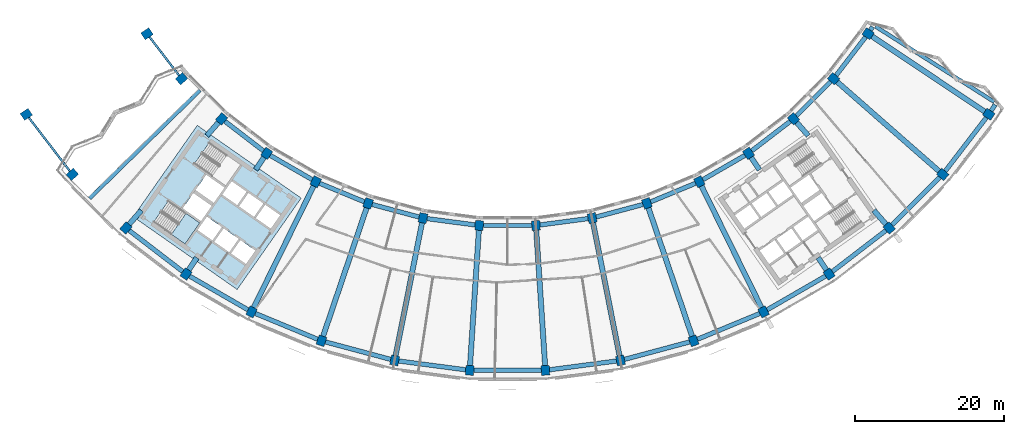
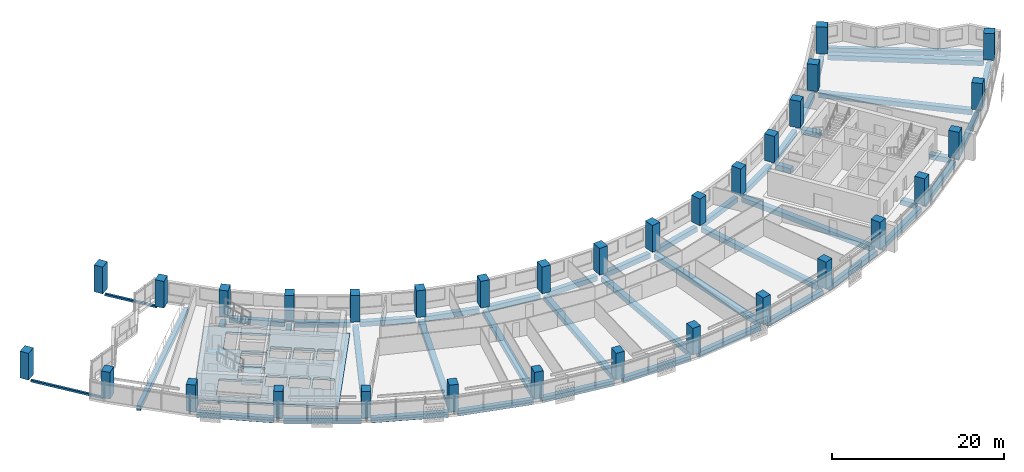
# One storey, part 1 of 27: 48 beams, 32 columns, 2 members, 2 slabs, 1 element without a shape of its own.
"""IFC4 building model written with IfcOpenShell, lengths in metres."""

from ifc_helpers import new_model, si_unit, direction, frame, origin, origin_2d, place, context, subcontext, project, spatial, polyline, rectangle, hollow_rectangle, outline, extrude, material, layer, layer_set, material_profile, profile_set, type_object, element, aggregate, save


model = new_model("IFC4")

# Units and contexts
model_context = context("Model", 3, precision=1e-05, world=origin(), true_north=direction((0.0, 1.0)))
body_context = subcontext(model_context, "Body", "Model", "MODEL_VIEW")
ifc_project = project(units=[si_unit("LENGTHUNIT", "METRE"), si_unit("AREAUNIT", "SQUARE_METRE"), si_unit("VOLUMEUNIT", "CUBIC_METRE"), si_unit("PLANEANGLEUNIT", "RADIAN"), si_unit("MASSUNIT", "GRAM", prefix="KILO")], contexts=[model_context])

# Site, building, storey
site_placement = place(None, origin())
site = spatial("IfcSite", under=ifc_project, at=site_placement, CompositionType="ELEMENT")
building_placement = place(site_placement, origin())
building = spatial("IfcBuilding", under=site, at=building_placement, Name="Qamariyya Broadcast Tower", CompositionType="ELEMENT")
storey_placement = place(building_placement, frame((0.0, 0.0, 153.10009765625)))
storey = spatial("IfcBuildingStorey", under=building, at=storey_placement, Name="L35", CompositionType="ELEMENT", Elevation=153.10009765625)

# Columns
ifc_material_1 = material(Name="Concrete C60/75", Category="concrete")
ifc_material_profile_1 = material_profile(ifc_material_1, rectangle(XDim=1.10009765625, YDim=1.300048828125, at=origin_2d()))
ifc_profile_set_1 = profile_set([ifc_material_profile_1], Name="Concrete C60/75")
column_type = type_object("IfcColumnType", Name="RC column 1100 x 1300 C60/75", PredefinedType="COLUMN", material=ifc_profile_set_1)
for number, where, z_axis, x_axis, name in (
    (1, (-43.794677734375, -38.406982421875, 0.0), (0.0, 0.0, 1.0), (0.6593458151, -0.751839807479, 0.0), "Column C8 L35 B-R04"),
    (2, (-58.45556640625, -51.26416015625, 0.0), (0.0, 0.0, 1.0), (0.6593458151, -0.751839807479, 0.0), "Column C8 L35 C-R04"),
    (3, (-38.406982421875, -43.794677734375, 0.0), (0.0, 0.0, 1.0), (0.751839807479, -0.6593458151, 0.0), "Column C8 L35 B-R05"),
    (4, (-51.26416015625, -58.45556640625, 0.0), (0.0, 0.0, 1.0), (0.751839807479, -0.6593458151, 0.0), "Column C8 L35 C-R05"),
    (5, (-32.362060546875, -48.43310546875, 0.0), (0.0, 0.0, 1.0), (0.831469612303, -0.55557023302, 0.0), "Column C8 L35 B-R06"),
    (6, (-43.195556640625, -64.646728515625, 0.0), (0.0, 0.0, 1.0), (0.831469612303, -0.55557023302, 0.0), "Column C8 L35 C-R06"),
    (7, (-25.763427734375, -52.242919921875, 0.0), (0.0, 0.0, 1.0), (0.896872741533, -0.442288690219, 0.0), "Column C8 L35 B-R07"),
    (8, (-34.387939453125, -69.73193359375, 0.0), (0.0, 0.0, 1.0), (0.896872741533, -0.442288690219, 0.0), "Column C8 L35 C-R07"),
    (9, (-18.723876953125, -55.15869140625, 0.0), (0.0, 0.0, 1.0), (0.946930129495, -0.321439465303, 0.0), "Column C8 L35 B-R08"),
    (10, (-24.991943359375, -73.623779296875, 0.0), (0.0, 0.0, 1.0), (0.946930129495, -0.321439465303, 0.0), "Column C8 L35 C-R08"),
    (11, (-11.364013671875, -57.130859375, 0.0), (0.0, 0.0, 1.0), (0.980785280403, -0.195090322016, 0.0), "Column C8 L35 B-R09"),
    (12, (-15.168212890625, -76.256103515625, 0.0), (0.0, 0.0, 1.0), (0.980785280403, -0.195090322016, 0.0), "Column C8 L35 C-R09"),
    (13, (-3.809814453125, -58.125244140625, 0.0), (0.0, 0.0, 1.0), (0.997858923239, -0.06540312923, 0.0), "Column C8 L35 B-R10"),
    (14, (-5.085205078125, -77.58349609375, 0.0), (0.0, 0.0, 1.0), (0.997858923239, -0.06540312923, 0.0), "Column C8 L35 C-R10"),
    (15, (3.809814453125, -58.125244140625, 0.0), (0.0, 0.0, 1.0), (0.997858923239, 0.06540312923, 0.0), "Column C8 L35 B-R11"),
    (16, (5.085205078125, -77.58349609375, 0.0), (0.0, 0.0, 1.0), (0.997858923239, 0.06540312923, 0.0), "Column C8 L35 C-R11"),
    (17, (11.364013671875, -57.130859375, 0.0), (0.0, 0.0, 1.0), (0.980785280403, 0.195090322016, 0.0), "Column C8 L35 B-R12"),
    (18, (15.168212890625, -76.256103515625, 0.0), (0.0, 0.0, 1.0), (0.980785280403, 0.195090322016, 0.0), "Column C8 L35 C-R12"),
    (19, (18.723876953125, -55.15869140625, 0.0), (0.0, 0.0, 1.0), (0.946930129495, 0.321439465303, 0.0), "Column C8 L35 B-R13"),
    (20, (24.991943359375, -73.623779296875, 0.0), (0.0, 0.0, 1.0), (0.946930129495, 0.321439465303, 0.0), "Column C8 L35 C-R13"),
    (21, (25.763427734375, -52.242919921875, 0.0), (0.0, 0.0, 1.0), (0.896872741533, 0.442288690219, 0.0), "Column C8 L35 B-R14"),
    (22, (34.387939453125, -69.73193359375, 0.0), (0.0, 0.0, 1.0), (0.896872741533, 0.442288690219, 0.0), "Column C8 L35 C-R14"),
    (23, (32.362060546875, -48.43310546875, 0.0), (0.0, 0.0, 1.0), (0.831469612303, 0.55557023302, 0.0), "Column C8 L35 B-R15"),
    (24, (43.195556640625, -64.646728515625, 0.0), (0.0, 0.0, 1.0), (0.831469612303, 0.55557023302, 0.0), "Column C8 L35 C-R15"),
    (25, (38.406982421875, -43.794677734375, 0.0), (0.0, 0.0, 1.0), (0.751839807479, 0.6593458151, 0.0), "Column C8 L35 B-R16"),
    (26, (51.26416015625, -58.45556640625, 0.0), (0.0, 0.0, 1.0), (0.751839807479, 0.6593458151, 0.0), "Column C8 L35 C-R16"),
    (27, (43.794677734375, -38.406982421875, 0.0), (0.0, 0.0, 1.0), (0.6593458151, 0.751839807479, 0.0), "Column C8 L35 B-R17"),
    (28, (58.45556640625, -51.26416015625, 0.0), (0.0, 0.0, 1.0), (0.6593458151, 0.751839807479, 0.0), "Column C8 L35 C-R17"),
    (29, (48.43310546875, -32.362060546875, 0.0), (0.0, 0.0, 1.0), (0.55557023302, 0.831469612303, 0.0), "Column C8 L35 B-R18"),
    (30, (64.646728515625, -43.195556640625, 0.0), (0.0, 0.0, 1.0), (0.55557023302, 0.831469612303, 0.0), "Column C8 L35 C-R18"),
    (31, (-48.43310546875, -32.362060546875, 0.0), (0.0, 0.0, 1.0), (0.55557023302, -0.831469612303, 0.0), "Column C8 L35 B-R03"),
    (32, (-64.646728515625, -43.195556640625, 0.0), (0.0, 0.0, 1.0), (0.55557023302, -0.831469612303, 0.0), "Column C8 L35 C-R03"),
):
    element("IfcColumn", number, at=place(storey_placement, frame(where, z_axis=z_axis, x_axis=x_axis)), inside=storey, type_object=column_type, Name=name, PredefinedType="COLUMN", context=body_context, shape_type="SweptSolid", body=[
        extrude(rectangle(XDim=1.10009765625, YDim=1.300048828125, at=origin_2d()), origin(), (0.0, 0.0, 1.0), 3.7998046875),
    ])

# Members
ifc_material_2 = material(Name="Steel S355", Category="steel")
ifc_material_profile_2 = material_profile(ifc_material_2, hollow_rectangle(XDim=0.300048828125, YDim=0.300048828125, WallThickness=0.012451171875, InnerFilletRadius=0.012451171875, OuterFilletRadius=0.02490234375, at=origin_2d()))
ifc_profile_set_2 = profile_set([ifc_material_profile_2], Name="Steel S355")
member_type = type_object("IfcMemberType", Name="Pylon tie RHS 300x300x12.5", PredefinedType="STRUT", material=ifc_profile_set_2)
member_1_placement = place(storey_placement, frame((-44.130126953125, -37.9697265625, -0.4501953125), z_axis=(-0.608774374473, 0.793343406719, 0.0), x_axis=(-0.793343406719, -0.608774374473, 0.0)))
element("IfcMember", 33, at=member_1_placement, inside=storey, type_object=member_type, Name="Pylon tie T1 L35 B-R03", PredefinedType="STRUT", context=body_context, shape_type="SweptSolid", body=[
    extrude(hollow_rectangle(XDim=0.300048828125, YDim=0.300048828125, WallThickness=0.012451171875, InnerFilletRadius=0.012451171875, OuterFilletRadius=0.02490234375, at=origin_2d()), origin(), (0.0, 0.0, 1.0), 6.517333984375),
])
member_2_placement = place(storey_placement, frame((-58.791015625, -50.826904296875, -0.4501953125), z_axis=(-0.608764405458, 0.793351056372, 0.0), x_axis=(-0.793351056372, -0.608764405458, 0.0)))
element("IfcMember", 34, at=member_2_placement, inside=storey, type_object=member_type, Name="Pylon tie T1 L35 C-R03", PredefinedType="STRUT", context=body_context, shape_type="SweptSolid", body=[
    extrude(hollow_rectangle(XDim=0.300048828125, YDim=0.300048828125, WallThickness=0.012451171875, InnerFilletRadius=0.012451171875, OuterFilletRadius=0.02490234375, at=origin_2d()), origin(), (0.0, 0.0, 1.0), 9.06787109375),
])

# Beams
ifc_material_3 = material(Name="Concrete C40/50", Category="concrete")
ifc_material_profile_3 = material_profile(ifc_material_3, rectangle(XDim=0.60009765625, YDim=0.699951171875, at=origin_2d()))
ifc_profile_set_3 = profile_set([ifc_material_profile_3], Name="Concrete C40/50")
beam_type_1 = type_object("IfcBeamType", Name="RC edge beam 600 x 700 C40/50", PredefinedType="SPANDREL", material=ifc_profile_set_3)
beam_1_placement = place(storey_placement, frame((-37.9697265625, -44.130126953125, -0.650146484375), z_axis=(0.793343406719, -0.608774374473, 0.0), x_axis=(0.608774374473, 0.793343406719, 0.0)))
element("IfcBeam", 35, at=beam_1_placement, inside=storey, type_object=beam_type_1, Name="Edge beam B20 L35 B R05-R06", PredefinedType="SPANDREL", context=body_context, shape_type="SweptSolid", body=[
    extrude(rectangle(XDim=0.60009765625, YDim=0.699951171875, at=origin_2d()), origin(), (0.0, 0.0, 1.0), 6.517333984375),
])
beam_2_placement = place(storey_placement, frame((-31.884521484375, -48.708740234375, -0.650146484375), z_axis=(0.866019015165, -0.500011065251, 0.0), x_axis=(0.500011065251, 0.866019015165, 0.0)))
element("IfcBeam", 36, at=beam_2_placement, inside=storey, type_object=beam_type_1, Name="Edge beam B20 L35 B R06-R07", PredefinedType="SPANDREL", context=body_context, shape_type="SweptSolid", body=[
    extrude(rectangle(XDim=0.60009765625, YDim=0.699951171875, at=origin_2d()), origin(), (0.0, 0.0, 1.0), 6.516845703125),
])
for number, where, z_axis, x_axis, name in (
    (37, (-25.254150390625, -52.453857421875, -0.650146484375), (0.923883967792, -0.382672724475, 0.0), (0.382672724475, 0.923883967792, 0.0), "Edge beam B20 L35 B R07-R08"),
    (38, (-18.19140625, -55.30126953125, -0.650146484375), (0.965923971679, -0.258825966504, 0.0), (0.258825966504, 0.965923971679, 0.0), "Edge beam B20 L35 B R08-R09"),
    (39, (-10.817626953125, -57.20263671875, -0.650146484375), (0.991446388377, -0.130514592953, 0.0), (0.130514592953, 0.991446388377, 0.0), "Edge beam B20 L35 B R09-R10"),
    (40, (-3.258544921875, -58.125244140625, -0.650146484375), (1.0, 0.0, 0.0), (0.0, 1.0, 0.0), "Edge beam B20 L35 B R10-R11"),
    (41, (4.356201171875, -58.05322265625, -0.650146484375), (0.991446388377, 0.130514592953, 0.0), (-0.130514592953, 0.991446388377, 0.0), "Edge beam B20 L35 B R11-R12"),
    (42, (11.896484375, -56.988037109375, -0.650146484375), (0.965923971679, 0.258825966504, 0.0), (-0.258825966504, 0.965923971679, 0.0), "Edge beam B20 L35 B R12-R13"),
    (43, (19.233154296875, -54.94775390625, -0.650146484375), (0.923883967792, 0.382672724475, 0.0), (-0.382672724475, 0.923883967792, 0.0), "Edge beam B20 L35 B R13-R14"),
):
    element("IfcBeam", number, at=place(storey_placement, frame(where, z_axis=z_axis, x_axis=x_axis)), inside=storey, type_object=beam_type_1, Name=name, PredefinedType="SPANDREL", context=body_context, shape_type="SweptSolid", body=[
        extrude(rectangle(XDim=0.60009765625, YDim=0.699951171875, at=origin_2d()), origin(), (0.0, 0.0, 1.0), 6.51708984375),
    ])
beam_3_placement = place(storey_placement, frame((26.24072265625, -51.96728515625, -0.650146484375), z_axis=(0.866019015165, 0.500011065251, 0.0), x_axis=(-0.500011065251, 0.866019015165, 0.0)))
element("IfcBeam", 44, at=beam_3_placement, inside=storey, type_object=beam_type_1, Name="Edge beam B20 L35 B R14-R15", PredefinedType="SPANDREL", context=body_context, shape_type="SweptSolid", body=[
    extrude(rectangle(XDim=0.60009765625, YDim=0.699951171875, at=origin_2d()), origin(), (0.0, 0.0, 1.0), 6.516845703125),
])
for number, where, z_axis, x_axis, name in (
    (45, (32.79931640625, -48.09765625, -0.650146484375), (0.793343406719, 0.608774374473, 0.0), (-0.608774374473, 0.793343406719, 0.0), "Edge beam B20 L35 B R15-R16"),
    (46, (38.796630859375, -43.405029296875, -0.650146484375), (0.707106781187, 0.707106781187, 0.0), (-0.707106781187, 0.707106781187, 0.0), "Edge beam B20 L35 B R16-R17"),
    (47, (44.130126953125, -37.9697265625, -0.650146484375), (0.608774374473, 0.793343406719, 0.0), (-0.793343406719, 0.608774374473, 0.0), "Edge beam B20 L35 B R17-R18"),
):
    element("IfcBeam", number, at=place(storey_placement, frame(where, z_axis=z_axis, x_axis=x_axis)), inside=storey, type_object=beam_type_1, Name=name, PredefinedType="SPANDREL", context=body_context, shape_type="SweptSolid", body=[
        extrude(rectangle(XDim=0.60009765625, YDim=0.699951171875, at=origin_2d()), origin(), (0.0, 0.0, 1.0), 6.517333984375),
    ])
for number, where, z_axis, x_axis, name in (
    (48, (-50.826904296875, -58.791015625, -0.650146484375), (0.793351056372, -0.608764405458, 0.0), (0.608764405458, 0.793351056372, 0.0), "Edge beam B20 L35 C R05-R06"),
    (49, (-42.71826171875, -64.92236328125, -0.650146484375), (0.866025972227, -0.499999015427, 0.0), (0.499999015427, 0.866025972227, 0.0), "Edge beam B20 L35 C R06-R07"),
):
    element("IfcBeam", number, at=place(storey_placement, frame(where, z_axis=z_axis, x_axis=x_axis)), inside=storey, type_object=beam_type_1, Name=name, PredefinedType="SPANDREL", context=body_context, shape_type="SweptSolid", body=[
        extrude(rectangle(XDim=0.60009765625, YDim=0.699951171875, at=origin_2d()), origin(), (0.0, 0.0, 1.0), 9.06787109375),
    ])
beam_4_placement = place(storey_placement, frame((-33.878662109375, -69.94287109375, -0.650146484375), z_axis=(0.923882618409, -0.382675982265, 0.0), x_axis=(0.382675982265, 0.923882618409, 0.0)))
element("IfcBeam", 50, at=beam_4_placement, inside=storey, type_object=beam_type_1, Name="Edge beam B20 L35 C R07-R08", PredefinedType="SPANDREL", context=body_context, shape_type="SweptSolid", body=[
    extrude(rectangle(XDim=0.60009765625, YDim=0.699951171875, at=origin_2d()), origin(), (0.0, 0.0, 1.0), 9.067626953125),
])
for number, where, z_axis, x_axis, name in (
    (51, (-24.45947265625, -73.766357421875, -0.650146484375), (0.965925457615, -0.258820421007, 0.0), (0.258820421007, 0.965925457615, 0.0), "Edge beam B20 L35 C R08-R09"),
    (52, (-14.621826171875, -76.327880859375, -0.650146484375), (0.991444762322, -0.130526944594, 0.0), (0.130526944594, 0.991444762322, 0.0), "Edge beam B20 L35 C R09-R10"),
    (53, (-4.533935546875, -77.58349609375, -0.650146484375), (1.0, 0.0, 0.0), (0.0, 1.0, 0.0), "Edge beam B20 L35 C R10-R11"),
    (54, (5.631591796875, -77.511474609375, -0.650146484375), (0.991444762322, 0.130526944594, 0.0), (-0.130526944594, 0.991444762322, 0.0), "Edge beam B20 L35 C R11-R12"),
    (55, (15.70068359375, -76.11328125, -0.650146484375), (0.965925457615, 0.258820421007, 0.0), (-0.258820421007, 0.965925457615, 0.0), "Edge beam B20 L35 C R12-R13"),
):
    element("IfcBeam", number, at=place(storey_placement, frame(where, z_axis=z_axis, x_axis=x_axis)), inside=storey, type_object=beam_type_1, Name=name, PredefinedType="SPANDREL", context=body_context, shape_type="SweptSolid", body=[
        extrude(rectangle(XDim=0.60009765625, YDim=0.699951171875, at=origin_2d()), origin(), (0.0, 0.0, 1.0), 9.06787109375),
    ])
beam_5_placement = place(storey_placement, frame((25.501220703125, -73.412841796875, -0.650146484375), z_axis=(0.923882618409, 0.382675982265, 0.0), x_axis=(-0.382675982265, 0.923882618409, 0.0)))
element("IfcBeam", 56, at=beam_5_placement, inside=storey, type_object=beam_type_1, Name="Edge beam B20 L35 C R13-R14", PredefinedType="SPANDREL", context=body_context, shape_type="SweptSolid", body=[
    extrude(rectangle(XDim=0.60009765625, YDim=0.699951171875, at=origin_2d()), origin(), (0.0, 0.0, 1.0), 9.067626953125),
])
for number, where, z_axis, x_axis, name in (
    (57, (34.865234375, -69.456298828125, -0.650146484375), (0.866025972227, 0.499999015427, 0.0), (-0.499999015427, 0.866025972227, 0.0), "Edge beam B20 L35 C R14-R15"),
    (58, (43.6328125, -64.311279296875, -0.650146484375), (0.793351056372, 0.608764405458, 0.0), (-0.608764405458, 0.793351056372, 0.0), "Edge beam B20 L35 C R15-R16"),
):
    element("IfcBeam", number, at=place(storey_placement, frame(where, z_axis=z_axis, x_axis=x_axis)), inside=storey, type_object=beam_type_1, Name=name, PredefinedType="SPANDREL", context=body_context, shape_type="SweptSolid", body=[
        extrude(rectangle(XDim=0.60009765625, YDim=0.699951171875, at=origin_2d()), origin(), (0.0, 0.0, 1.0), 9.06787109375),
    ])
beam_6_placement = place(storey_placement, frame((51.65380859375, -58.06591796875, -0.650146484375), z_axis=(0.707106781187, 0.707106781187, 0.0), x_axis=(-0.707106781187, 0.707106781187, 0.0)))
element("IfcBeam", 59, at=beam_6_placement, inside=storey, type_object=beam_type_1, Name="Edge beam B20 L35 C R16-R17", PredefinedType="SPANDREL", context=body_context, shape_type="SweptSolid", body=[
    extrude(rectangle(XDim=0.60009765625, YDim=0.699951171875, at=origin_2d()), origin(), (0.0, 0.0, 1.0), 9.068115234375),
])
beam_7_placement = place(storey_placement, frame((58.791015625, -50.826904296875, -0.650146484375), z_axis=(0.608764405458, 0.793351056372, 0.0), x_axis=(-0.793351056372, 0.608764405458, 0.0)))
element("IfcBeam", 60, at=beam_7_placement, inside=storey, type_object=beam_type_1, Name="Edge beam B20 L35 C R17-R18", PredefinedType="SPANDREL", context=body_context, shape_type="SweptSolid", body=[
    extrude(rectangle(XDim=0.60009765625, YDim=0.699951171875, at=origin_2d()), origin(), (0.0, 0.0, 1.0), 9.06787109375),
])
ifc_material_profile_4 = material_profile(ifc_material_3, rectangle(XDim=0.60009765625, YDim=0.699951171875, at=origin_2d()))
ifc_profile_set_4 = profile_set([ifc_material_profile_4], Name="Concrete C40/50")
beam_type_2 = type_object("IfcBeamType", Name="RC horn beam 600 x 700 C40/50", PredefinedType="BEAM", material=ifc_profile_set_4)
beam_8_placement = place(storey_placement, frame((48.7333984375, -31.901123046875, -0.650146484375), z_axis=(0.545833120869, 0.837893909849, 0.0), x_axis=(-0.837893909849, 0.545833120869, 0.0)))
element("IfcBeam", 61, at=beam_8_placement, inside=storey, type_object=beam_type_2, Name="Horn beam B19 L35 E B-R18", PredefinedType="BEAM", context=body_context, shape_type="SweptSolid", body=[
    extrude(rectangle(XDim=0.60009765625, YDim=0.699951171875, at=origin_2d()), origin(), (0.0, 0.0, 1.0), 0.54833984375),
])
beam_9_placement = place(storey_placement, frame((64.947021484375, -42.734619140625, -0.650146484375), z_axis=(0.545992155036, 0.837790287983, 0.0), x_axis=(-0.837790287983, 0.545992155036, 0.0)))
element("IfcBeam", 62, at=beam_9_placement, inside=storey, type_object=beam_type_2, Name="Horn beam B19 L35 E C-R18", PredefinedType="BEAM", context=body_context, shape_type="SweptSolid", body=[
    extrude(rectangle(XDim=0.60009765625, YDim=0.699951171875, at=origin_2d()), origin(), (0.0, 0.0, 1.0), 0.999755859375),
])
ifc_material_profile_5 = material_profile(ifc_material_3, rectangle(XDim=0.5, YDim=0.699951171875, at=origin_2d()))
ifc_profile_set_5 = profile_set([ifc_material_profile_5], Name="Concrete C40/50")
beam_type_3 = type_object("IfcBeamType", Name="RC horn cap beam 500 x 700 C40/50", PredefinedType="BEAM", material=ifc_profile_set_5)
beam_10_placement = place(storey_placement, frame((49.42236328125, -31.39306640625, -0.650146484375), z_axis=(0.844110647072, -0.53616901766, 0.0), x_axis=(0.53616901766, 0.844110647072, 0.0)))
element("IfcBeam", 63, at=beam_10_placement, inside=storey, type_object=beam_type_3, Name="Horn cap beam B21 L35 E B-C", PredefinedType="BEAM", context=body_context, shape_type="SweptSolid", body=[
    extrude(rectangle(XDim=0.5, YDim=0.699951171875, at=origin_2d()), origin(), (0.0, 0.0, 1.0), 18.89990234375),
])
ifc_material_profile_6 = material_profile(ifc_material_3, rectangle(XDim=0.699951171875, YDim=0.699951171875, at=origin_2d()))
ifc_profile_set_6 = profile_set([ifc_material_profile_6], Name="Concrete C40/50")
beam_type_4 = type_object("IfcBeamType", Name="RC radial beam 700 x 700 C40/50", PredefinedType="BEAM", material=ifc_profile_set_6)
beam_11_placement = place(storey_placement, frame((-38.83544921875, -44.283447265625, -0.650146484375), z_axis=(-0.659381501846, -0.751808509544, 0.0), x_axis=(0.751808509544, -0.659381501846, 0.0)))
element("IfcBeam", 64, at=beam_11_placement, inside=storey, type_object=beam_type_4, Name="Radial beam B18 L35 R05 B-C", PredefinedType="BEAM", context=body_context, shape_type="SweptSolid", body=[
    extrude(rectangle(XDim=0.699951171875, YDim=0.699951171875, at=origin_2d()), origin(), (0.0, 0.0, 1.0), 2.364013671875),
])
beam_12_placement = place(storey_placement, frame((-49.1943359375, -56.095458984375, -0.650146484375), z_axis=(-0.659344451764, -0.75184100309, 0.0), x_axis=(0.75184100309, -0.659344451764, 0.0)))
element("IfcBeam", 65, at=beam_12_placement, inside=storey, type_object=beam_type_4, Name="Radial beam B18 L35 R05 B-C", PredefinedType="BEAM", context=body_context, shape_type="SweptSolid", body=[
    extrude(rectangle(XDim=0.699951171875, YDim=0.699951171875, at=origin_2d()), origin(), (0.0, 0.0, 1.0), 2.489013671875),
])
beam_13_placement = place(storey_placement, frame((-32.72314453125, -48.9736328125, -0.650146484375), z_axis=(-0.555594913414, -0.83145312086, 0.0), x_axis=(0.83145312086, -0.555594913414, 0.0)))
element("IfcBeam", 66, at=beam_13_placement, inside=storey, type_object=beam_type_4, Name="Radial beam B18 L35 R06 B-C", PredefinedType="BEAM", context=body_context, shape_type="SweptSolid", body=[
    extrude(rectangle(XDim=0.699951171875, YDim=0.699951171875, at=origin_2d()), origin(), (0.0, 0.0, 1.0), 2.014404296875),
])
beam_14_placement = place(storey_placement, frame((-41.733154296875, -62.458251953125, -0.650146484375), z_axis=(-0.555637861027, -0.831424420734, 0.0), x_axis=(0.831424420734, -0.555637861027, 0.0)))
element("IfcBeam", 67, at=beam_14_placement, inside=storey, type_object=beam_type_4, Name="Radial beam B18 L35 R06 B-C", PredefinedType="BEAM", context=body_context, shape_type="SweptSolid", body=[
    extrude(rectangle(XDim=0.699951171875, YDim=0.699951171875, at=origin_2d()), origin(), (0.0, 0.0, 1.0), 1.982177734375),
])
beam_15_placement = place(storey_placement, frame((-26.05078125, -52.82568359375, -0.650146484375), z_axis=(-0.44228110273, -0.896876483228, 0.0), x_axis=(0.896876483228, -0.44228110273, 0.0)))
element("IfcBeam", 68, at=beam_15_placement, inside=storey, type_object=beam_type_4, Name="Radial beam B18 L35 R07 B-C", PredefinedType="BEAM", context=body_context, shape_type="SweptSolid", body=[
    extrude(rectangle(XDim=0.699951171875, YDim=0.699951171875, at=origin_2d()), origin(), (0.0, 0.0, 1.0), 18.2001953125),
])
beam_16_placement = place(storey_placement, frame((-18.932861328125, -55.774169921875, -0.650146484375), z_axis=(-0.321434466477, -0.946931826353, 0.0), x_axis=(0.946931826353, -0.321434466477, 0.0)))
element("IfcBeam", 69, at=beam_16_placement, inside=storey, type_object=beam_type_4, Name="Radial beam B18 L35 R08 B-C", PredefinedType="BEAM", context=body_context, shape_type="SweptSolid", body=[
    extrude(rectangle(XDim=0.699951171875, YDim=0.699951171875, at=origin_2d()), origin(), (0.0, 0.0, 1.0), 18.199951171875),
])
beam_17_placement = place(storey_placement, frame((-11.49072265625, -57.768310546875, -0.650146484375), z_axis=(-0.195097061093, -0.980783939893, 0.0), x_axis=(0.980783939893, -0.195097061093, 0.0)))
element("IfcBeam", 70, at=beam_17_placement, inside=storey, type_object=beam_type_4, Name="Radial beam B18 L35 R09 B-C", PredefinedType="BEAM", context=body_context, shape_type="SweptSolid", body=[
    extrude(rectangle(XDim=0.699951171875, YDim=0.699951171875, at=origin_2d()), origin(), (0.0, 0.0, 1.0), 18.2001953125),
])
for number, where, z_axis, x_axis, name in (
    (71, (-3.852294921875, -58.77392578125, -0.650146484375), (-0.065395361188, -0.997859432353, 0.0), (0.997859432353, -0.065395361188, 0.0), "Radial beam B18 L35 R10 B-C"),
    (72, (3.852294921875, -58.77392578125, -0.650146484375), (0.065395361188, -0.997859432353, 0.0), (0.997859432353, 0.065395361188, 0.0), "Radial beam B18 L35 R11 B-C"),
):
    element("IfcBeam", number, at=place(storey_placement, frame(where, z_axis=z_axis, x_axis=x_axis)), inside=storey, type_object=beam_type_4, Name=name, PredefinedType="BEAM", context=body_context, shape_type="SweptSolid", body=[
        extrude(rectangle(XDim=0.699951171875, YDim=0.699951171875, at=origin_2d()), origin(), (0.0, 0.0, 1.0), 18.199951171875),
    ])
beam_18_placement = place(storey_placement, frame((11.49072265625, -57.768310546875, -0.650146484375), z_axis=(0.195097061093, -0.980783939893, 0.0), x_axis=(0.980783939893, 0.195097061093, 0.0)))
element("IfcBeam", 73, at=beam_18_placement, inside=storey, type_object=beam_type_4, Name="Radial beam B18 L35 R12 B-C", PredefinedType="BEAM", context=body_context, shape_type="SweptSolid", body=[
    extrude(rectangle(XDim=0.699951171875, YDim=0.699951171875, at=origin_2d()), origin(), (0.0, 0.0, 1.0), 18.2001953125),
])
beam_19_placement = place(storey_placement, frame((18.932861328125, -55.774169921875, -0.650146484375), z_axis=(0.321434466477, -0.946931826353, 0.0), x_axis=(0.946931826353, 0.321434466477, 0.0)))
element("IfcBeam", 74, at=beam_19_placement, inside=storey, type_object=beam_type_4, Name="Radial beam B18 L35 R13 B-C", PredefinedType="BEAM", context=body_context, shape_type="SweptSolid", body=[
    extrude(rectangle(XDim=0.699951171875, YDim=0.699951171875, at=origin_2d()), origin(), (0.0, 0.0, 1.0), 18.199951171875),
])
beam_20_placement = place(storey_placement, frame((26.05078125, -52.82568359375, -0.650146484375), z_axis=(0.44228110273, -0.896876483228, 0.0), x_axis=(0.896876483228, 0.44228110273, 0.0)))
element("IfcBeam", 75, at=beam_20_placement, inside=storey, type_object=beam_type_4, Name="Radial beam B18 L35 R14 B-C", PredefinedType="BEAM", context=body_context, shape_type="SweptSolid", body=[
    extrude(rectangle(XDim=0.699951171875, YDim=0.699951171875, at=origin_2d()), origin(), (0.0, 0.0, 1.0), 18.2001953125),
])
beam_21_placement = place(storey_placement, frame((32.72314453125, -48.9736328125, -0.650146484375), z_axis=(0.555594913414, -0.83145312086, 0.0), x_axis=(0.83145312086, 0.555594913414, 0.0)))
element("IfcBeam", 76, at=beam_21_placement, inside=storey, type_object=beam_type_4, Name="Radial beam B18 L35 R15 B-C", PredefinedType="BEAM", context=body_context, shape_type="SweptSolid", body=[
    extrude(rectangle(XDim=0.699951171875, YDim=0.699951171875, at=origin_2d()), origin(), (0.0, 0.0, 1.0), 2.014404296875),
])
beam_22_placement = place(storey_placement, frame((41.733154296875, -62.458251953125, -0.650146484375), z_axis=(0.555637861027, -0.831424420734, 0.0), x_axis=(0.831424420734, 0.555637861027, 0.0)))
element("IfcBeam", 77, at=beam_22_placement, inside=storey, type_object=beam_type_4, Name="Radial beam B18 L35 R15 B-C", PredefinedType="BEAM", context=body_context, shape_type="SweptSolid", body=[
    extrude(rectangle(XDim=0.699951171875, YDim=0.699951171875, at=origin_2d()), origin(), (0.0, 0.0, 1.0), 1.982177734375),
])
beam_23_placement = place(storey_placement, frame((38.83544921875, -44.283447265625, -0.650146484375), z_axis=(0.659381501846, -0.751808509544, 0.0), x_axis=(0.751808509544, 0.659381501846, 0.0)))
element("IfcBeam", 78, at=beam_23_placement, inside=storey, type_object=beam_type_4, Name="Radial beam B18 L35 R16 B-C", PredefinedType="BEAM", context=body_context, shape_type="SweptSolid", body=[
    extrude(rectangle(XDim=0.699951171875, YDim=0.699951171875, at=origin_2d()), origin(), (0.0, 0.0, 1.0), 2.364013671875),
])
beam_24_placement = place(storey_placement, frame((49.1943359375, -56.095458984375, -0.650146484375), z_axis=(0.659344451764, -0.75184100309, 0.0), x_axis=(0.75184100309, 0.659344451764, 0.0)))
element("IfcBeam", 79, at=beam_24_placement, inside=storey, type_object=beam_type_4, Name="Radial beam B18 L35 R16 B-C", PredefinedType="BEAM", context=body_context, shape_type="SweptSolid", body=[
    extrude(rectangle(XDim=0.699951171875, YDim=0.699951171875, at=origin_2d()), origin(), (0.0, 0.0, 1.0), 2.489013671875),
])
beam_25_placement = place(storey_placement, frame((44.283447265625, -38.83544921875, -0.650146484375), z_axis=(0.751839141307, -0.659346574723, 0.0), x_axis=(0.659346574723, 0.751839141307, 0.0)))
element("IfcBeam", 80, at=beam_25_placement, inside=storey, type_object=beam_type_4, Name="Radial beam B18 L35 R17 B-C", PredefinedType="BEAM", context=body_context, shape_type="SweptSolid", body=[
    extrude(rectangle(XDim=0.699951171875, YDim=0.699951171875, at=origin_2d()), origin(), (0.0, 0.0, 1.0), 18.199951171875),
])
beam_26_placement = place(storey_placement, frame((48.9736328125, -32.72314453125, -0.650146484375), z_axis=(0.831467855631, -0.555572862056, 0.0), x_axis=(0.555572862056, 0.831467855631, 0.0)))
element("IfcBeam", 81, at=beam_26_placement, inside=storey, type_object=beam_type_4, Name="Radial beam B18 L35 R18 B-C", PredefinedType="BEAM", context=body_context, shape_type="SweptSolid", body=[
    extrude(rectangle(XDim=0.699951171875, YDim=0.699951171875, at=origin_2d()), origin(), (0.0, 0.0, 1.0), 18.19970703125),
])
ifc_material_profile_7 = material_profile(ifc_material_3, rectangle(XDim=0.5, YDim=0.699951171875, at=origin_2d()))
ifc_profile_set_7 = profile_set([ifc_material_profile_7], Name="Concrete C40/50")
beam_type_5 = type_object("IfcBeamType", Name="RC trimmer beam 500 x 700 C40/50", PredefinedType="BEAM", material=ifc_profile_set_7)
beam_27_placement = place(storey_placement, frame((-56.146240234375, -54.49267578125, -0.650146484375), z_axis=(0.714467301899, 0.699668832032, 0.0), x_axis=(-0.699668832032, 0.714467301899, 0.0)))
element("IfcBeam", 82, at=beam_27_placement, inside=storey, type_object=beam_type_5, Name="Trimmer beam B22 L35 void 1", PredefinedType="BEAM", context=body_context, shape_type="SweptSolid", body=[
    extrude(rectangle(XDim=0.5, YDim=0.699951171875, at=origin_2d()), origin(), (0.0, 0.0, 1.0), 20.754150390625),
])

# Slab
ifc_layer_1 = layer(ifc_material_3, 0.300048828125)
ifc_layer_set_1 = layer_set([ifc_layer_1], Name="Core floor slab 300 mm Concrete C40/50")
slab_type_1 = type_object("IfcSlabType", Name="Core floor slab 300 mm Concrete C40/50", PredefinedType="FLOOR", material=ifc_layer_set_1)
slab_1_placement = place(storey_placement, frame((0.0, 0.0, -0.300048828125)))
element("IfcSlab", 83, at=slab_1_placement, inside=storey, type_object=slab_type_1, Name="k-W-L35-slab", PredefinedType="FLOOR", context=body_context, shape_type="SweptSolid", body=[
    extrude(outline(polyline([(-50.286376953125, -56.95751953125), (-36.32373046875, -66.734375), (-27.719970703125, -54.447021484375), (-41.6826171875, -44.67041015625), (-50.286376953125, -56.95751953125)]), holes=[polyline([(-31.80859375, -58.542724609375), (-33.8154296875, -57.137451171875), (-32.5537109375, -55.335205078125), (-30.546630859375, -56.740478515625), (-31.80859375, -58.542724609375)]), polyline([(-34.061279296875, -56.96533203125), (-36.068115234375, -55.56005859375), (-34.806396484375, -53.758056640625), (-32.79931640625, -55.163330078125), (-34.061279296875, -56.96533203125)]), polyline([(-36.31396484375, -55.387939453125), (-38.32080078125, -53.982666015625), (-37.058837890625, -52.1806640625), (-35.052001953125, -53.5859375), (-36.31396484375, -55.387939453125)]), polyline([(-33.87353515625, -61.49169921875), (-35.88037109375, -60.08642578125), (-37.142333984375, -61.888427734375), (-35.13525390625, -63.293701171875), (-33.87353515625, -61.49169921875)]), polyline([(-36.126220703125, -59.914306640625), (-38.133056640625, -58.509033203125), (-39.394775390625, -60.311279296875), (-37.387939453125, -61.716552734375), (-36.126220703125, -59.914306640625)]), polyline([(-38.378662109375, -58.3369140625), (-40.3857421875, -56.931640625), (-41.6474609375, -58.73388671875), (-39.640625, -60.13916015625), (-38.378662109375, -58.3369140625)]), polyline([(-39.742431640625, -55.489990234375), (-42.199951171875, -53.769287109375), (-43.6337890625, -55.817138671875), (-41.17626953125, -57.537841796875), (-39.742431640625, -55.489990234375)]), polyline([(-39.45556640625, -55.080322265625), (-41.9130859375, -53.359619140625), (-40.47900390625, -51.311767578125), (-38.021728515625, -53.032470703125), (-39.45556640625, -55.080322265625)]), polyline([(-42.06103515625, -49.837890625), (-37.849609375, -52.78662109375), (-35.870849609375, -49.960693359375), (-40.082275390625, -47.01171875), (-42.06103515625, -49.837890625)]), polyline([(-47.538818359375, -57.66064453125), (-43.3271484375, -60.609619140625), (-41.348388671875, -57.783447265625), (-45.559814453125, -54.834716796875), (-47.538818359375, -57.66064453125)])]), origin(), (0.0, 0.0, 1.0), 0.300048828125),
])

# Stair, slab
ifc_material_4 = material(Name="Concrete C50/60", Category="concrete")
stair_type = type_object("IfcStairType", Name="Exit stair 22 risers of 173 mm", PredefinedType="HALF_TURN_STAIR", material=ifc_material_4)
stair_placement = place(storey_placement, origin())
stair = element("IfcStair", 84, at=stair_placement, inside=storey, type_object=stair_type, Name="L35 Stair W1", PredefinedType="HALF_TURN_STAIR")
ifc_layer_2 = layer(ifc_material_4, 0.199951171875)
ifc_layer_set_2 = layer_set([ifc_layer_2], Name="Stair landing")
slab_type_2 = type_object("IfcSlabType", Name="Stair landing", PredefinedType="LANDING", material=ifc_layer_set_2)
slab_2_placement = place(storey_placement, frame((0.0, 0.0, 1.699951171875)))
slab_2 = element("IfcSlab", 85, at=slab_2_placement, type_object=slab_type_2, Name="ST-W1 landing 1", PredefinedType="LANDING", context=body_context, shape_type="SweptSolid", body=[
    extrude(outline(polyline([(-45.169677734375, -59.319580078125), (-43.3271484375, -60.609619140625), (-41.348388671875, -57.783447265625), (-43.19091796875, -56.493408203125), (-45.169677734375, -59.319580078125)])), origin(), (0.0, 0.0, 1.0), 0.199951171875),
])
aggregate(stair, [slab_2])

save(model, "model.ifc")
